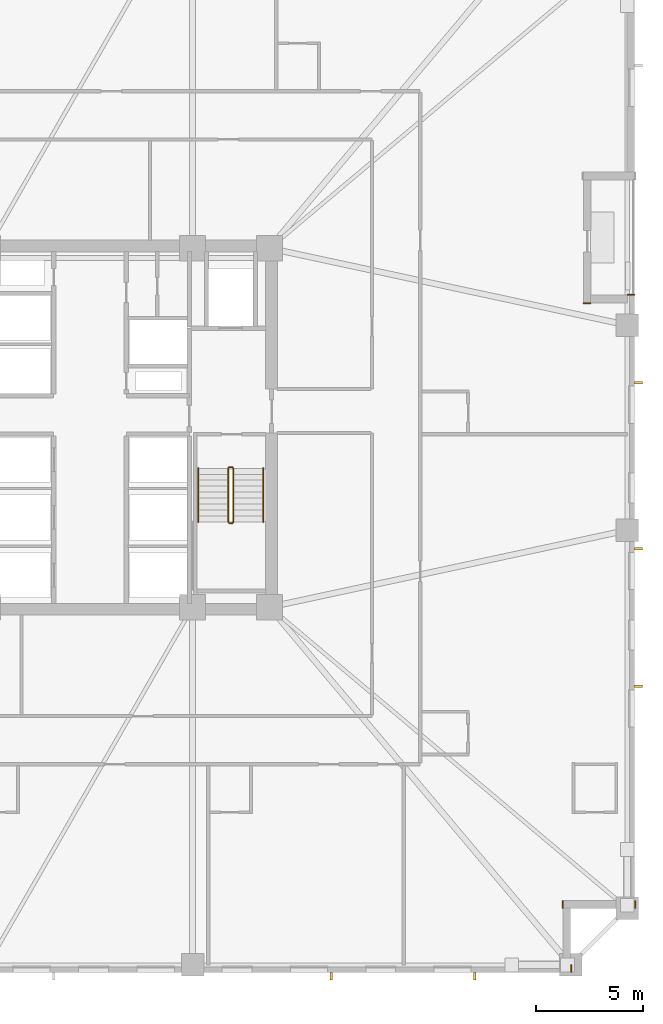
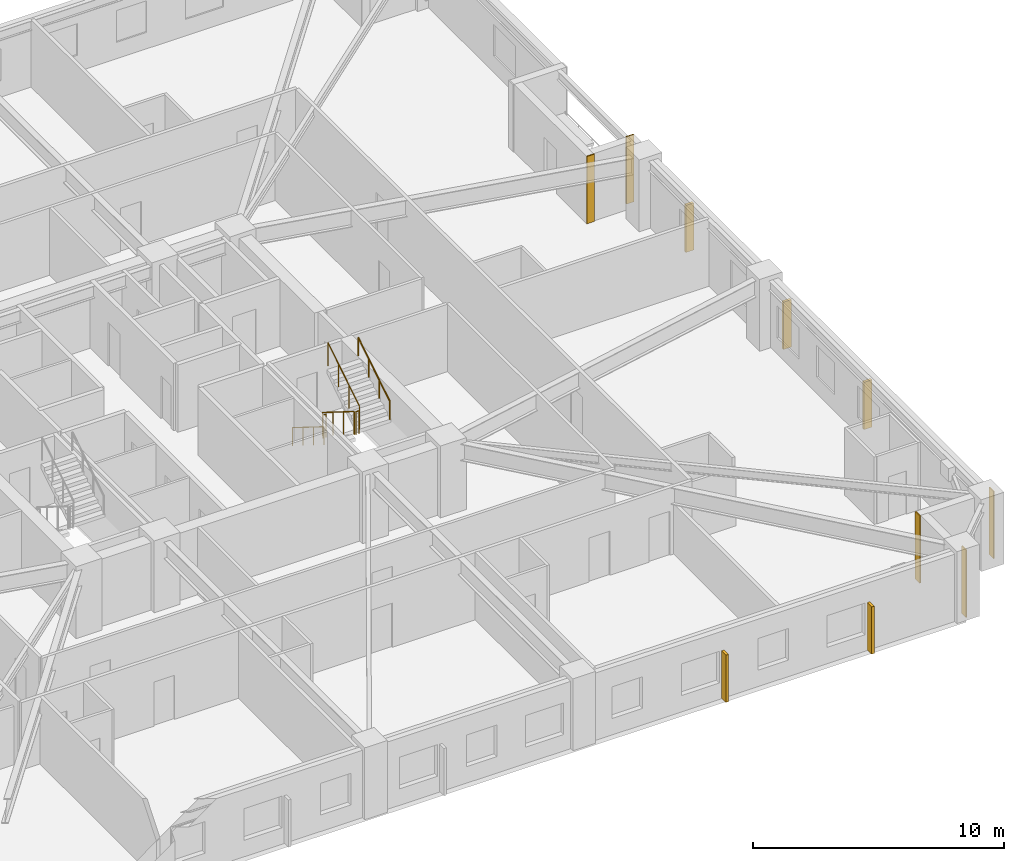
# One storey, part 9 of 11: 6 railings, 5 coverings, 5 shading devices.
"""IFC4 building model written with IfcOpenShell, lengths in metres."""

from ifc_helpers import new_model, si_unit, direction, frame, frame_2d, origin, origin_2d, place, context, subcontext, project, spatial, rectangle, circle, extrude, material, layer, layer_set, type_object, element, save


model = new_model("IFC4")

# Units and contexts
model_context = context("Model", 3, precision=1e-05, world=origin(), true_north=direction((0.0, 1.0)))
body_context = subcontext(model_context, "Body", "Model", "MODEL_VIEW")
ifc_project = project(units=[si_unit("LENGTHUNIT", "METRE"), si_unit("AREAUNIT", "SQUARE_METRE"), si_unit("VOLUMEUNIT", "CUBIC_METRE"), si_unit("PLANEANGLEUNIT", "RADIAN"), si_unit("MASSUNIT", "GRAM", prefix="KILO")], contexts=[model_context])

# Site, building, storey
site_placement = place(None, origin())
site = spatial("IfcSite", under=ifc_project, at=site_placement, CompositionType="ELEMENT")
building_placement = place(site_placement, origin())
building = spatial("IfcBuilding", under=site, at=building_placement, Name="Cairnveth Concourse Tower", CompositionType="ELEMENT")
storey_placement = place(building_placement, frame((0.0, 0.0, 79.5)))
storey = spatial("IfcBuildingStorey", under=building, at=storey_placement, Name="L21", CompositionType="ELEMENT", Elevation=79.5)

# Coverings
ifc_material_1 = material(Name="Dressed Melbourne Bluestone Cladding", Category="masonry")
ifc_layer = layer(ifc_material_1, 0.050048828125)
ifc_layer_set = layer_set([ifc_layer], Name="Dressed Melbourne Bluestone Cladding")
covering_type = type_object("IfcCoveringType", Name="DRESSED BLUESTONE PLINTH CLADDING 50", PredefinedType="CLADDING", material=ifc_layer_set)
for number, where, z_axis, x_axis, name in (
    (1, (77.139892578125, 45.219970703125, 0.0), (0.0, 0.0, 1.0), (1.0, 0.0, 0.0), "Melbourne Bluestone Corner Quoin L21-279"),
    (2, (77.52001953125, 16.860107421875, 0.0), (0.0, 0.0, 1.0), (0.0, -1.0, 0.0), "Melbourne Bluestone Corner Quoin L21-280"),
    (3, (74.1201171875, 16.860107421875, 0.0), (0.0, 0.0, 1.0), (0.0, -1.0, 0.0), "Melbourne Bluestone Corner Quoin L21-281"),
    (4, (74.52001953125, 13.860107421875, 0.0), (0.0, 0.0, 1.0), (0.0, -1.0, 0.0), "Melbourne Bluestone Corner Quoin L21-282"),
):
    element("IfcCovering", number, at=place(storey_placement, frame(where, z_axis=z_axis, x_axis=x_axis)), inside=storey, type_object=covering_type, Name=name, PredefinedType="CLADDING", context=body_context, shape_type="SweptSolid", body=[
        extrude(rectangle(XDim=0.360107421875, YDim=0.050048828125, at=frame_2d((0.18017578125, 0.0))), origin(), (0.0, 0.0, 1.0), 3.280029296875),
    ])
covering_placement = place(storey_placement, frame((75.090087890625, 44.820068359375, 0.0), z_axis=(0.0, 0.0, 1.0), x_axis=(1.0, 0.0, 0.0)))
element("IfcCovering", 5, at=covering_placement, inside=storey, type_object=covering_type, Name="Melbourne Bluestone Corner Quoin L21-294", PredefinedType="CLADDING", context=body_context, shape_type="SweptSolid", body=[
    extrude(rectangle(XDim=0.35986328125, YDim=0.050048828125, at=frame_2d((0.179931640625, 0.0))), origin(), (0.0, 0.0, 1.0), 3.280029296875),
])

# Shading devices
ifc_material_2 = material(Name="Architectural Bronze Anodised Aluminium 6063-T6", Category="aluminium")
shading_device_type = type_object("IfcShadingDeviceType", Name="GOTHIC BRONZE VERTICAL LANCET FIN", PredefinedType="USERDEFINED", material=ifc_material_2)
for number, where, z_axis, x_axis, name in (
    (6, (77.675048828125, 41.11328125, 0.02978515625), (0.0, 0.0, 1.0), (0.0, 1.0, 0.0), "Gothic Bronze Vertical Fin L21-0-1"),
    (7, (77.675048828125, 33.32568359375, 0.02978515625), (0.0, 0.0, 1.0), (0.0, 1.0, 0.0), "Gothic Bronze Vertical Fin L21-0-3"),
    (8, (77.675048828125, 26.888427734375, 0.02978515625), (0.0, 0.0, 1.0), (0.0, 1.0, 0.0), "Gothic Bronze Vertical Fin L21-0-5"),
    (9, (70.0048828125, 13.324951171875, 0.02978515625), (0.0, 0.0, 1.0), (1.0, 0.0, 0.0), "Gothic Bronze Vertical Fin L21-3-1"),
    (10, (63.284423828125, 13.324951171875, 0.02978515625), (0.0, 0.0, 1.0), (1.0, 0.0, 0.0), "Gothic Bronze Vertical Fin L21-3-3"),
):
    element("IfcShadingDevice", number, at=place(storey_placement, frame(where, z_axis=z_axis, x_axis=x_axis)), inside=storey, type_object=shading_device_type, Name=name, ObjectType="VERTICAL FIN", PredefinedType="USERDEFINED", context=body_context, shape_type="SweptSolid", body=[
        extrude(rectangle(XDim=0.1201171875, YDim=0.360107421875, at=origin_2d()), origin(), (0.0, 0.0, 1.0), 2.303955078125),
    ])

# Railings
ifc_material_3 = material(Name="Steel Grade 350", Category="steel")
railing_type_1 = type_object("IfcRailingType", Name="STAIR GUARDRAIL 1150", PredefinedType="GUARDRAIL", material=ifc_material_3)
railing_1_placement = place(storey_placement, frame((58.469970703125, 37.10009765625, 0.175048828125)))
element("IfcRailing", 11, at=railing_1_placement, inside=storey, type_object=railing_type_1, Name="L21 ST-2 stair guard 1", PredefinedType="GUARDRAIL", context=body_context, shape_type="SweptSolid", body=[
    extrude(circle(Radius=0.02392578125, at=origin_2d()), frame((0.0, 0.0, 1.1259765625), z_axis=(0.0, -0.848007534815, 0.529984170421), x_axis=(1.0, 0.0, 0.0)), (0.0, 0.0, 1.0), 2.9716796875),
    extrude(circle(Radius=0.02099609375, at=origin_2d()), origin(), (0.0, 0.0, 1.0), 1.101806640625),
    extrude(circle(Radius=0.02099609375, at=origin_2d()), frame((0.0, -0.840087890625, 0.52490234375)), (0.0, 0.0, 1.0), 1.101806640625),
    extrude(circle(Radius=0.02099609375, at=origin_2d()), frame((0.0, -1.679931640625, 1.050048828125)), (0.0, 0.0, 1.0), 1.101806640625),
    extrude(circle(Radius=0.02099609375, at=origin_2d()), frame((0.0, -2.52001953125, 1.574951171875)), (0.0, 0.0, 1.0), 1.101806640625),
])
railing_2_placement = place(storey_placement, frame((58.52001953125, 34.530029296875, 1.75)))
element("IfcRailing", 12, at=railing_2_placement, inside=storey, type_object=railing_type_1, Name="L21 ST-2 stair guard 2", PredefinedType="GUARDRAIL", context=body_context, shape_type="SweptSolid", body=[
    extrude(circle(Radius=0.02392578125, at=origin_2d()), frame((0.0, 0.0, 1.1259765625), z_axis=(1.0, 0.0, 0.0), x_axis=(0.0, 1.0, 0.0)), (0.0, 0.0, 1.0), 0.139892578125),
    extrude(circle(Radius=0.02099609375, at=origin_2d()), origin(), (0.0, 0.0, 1.0), 1.101806640625),
    extrude(circle(Radius=0.02099609375, at=origin_2d()), frame((0.139892578125, 0.0, 0.0)), (0.0, 0.0, 1.0), 1.101806640625),
])
railing_3_placement = place(storey_placement, frame((58.7099609375, 34.580078125, 1.925048828125)))
element("IfcRailing", 13, at=railing_3_placement, inside=storey, type_object=railing_type_1, Name="L21 ST-2 stair guard 3", PredefinedType="GUARDRAIL", context=body_context, shape_type="SweptSolid", body=[
    extrude(circle(Radius=0.02392578125, at=origin_2d()), frame((0.0, 0.0, 1.1259765625), z_axis=(0.0, 0.848007534815, 0.529984170421), x_axis=(-1.0, 0.0, 0.0)), (0.0, 0.0, 1.0), 2.9716796875),
    extrude(circle(Radius=0.02099609375, at=origin_2d()), origin(), (0.0, 0.0, 1.0), 1.101806640625),
    extrude(circle(Radius=0.02099609375, at=origin_2d()), frame((0.0, 0.840087890625, 0.52490234375)), (0.0, 0.0, 1.0), 1.101806640625),
    extrude(circle(Radius=0.02099609375, at=origin_2d()), frame((0.0, 1.679931640625, 1.050048828125)), (0.0, 0.0, 1.0), 1.101806640625),
    extrude(circle(Radius=0.02099609375, at=origin_2d()), frame((0.0, 2.52001953125, 1.574951171875)), (0.0, 0.0, 1.0), 1.101806640625),
])
railing_4_placement = place(storey_placement, frame((58.52001953125, 37.14990234375, 0.0)))
element("IfcRailing", 14, at=railing_4_placement, inside=storey, type_object=railing_type_1, Name="L21 ST-2 stair guard 4", PredefinedType="GUARDRAIL", context=body_context, shape_type="SweptSolid", body=[
    extrude(circle(Radius=0.02392578125, at=origin_2d()), frame((0.0, 0.0, 1.1259765625), z_axis=(1.0, 0.0, 0.0), x_axis=(0.0, 1.0, 0.0)), (0.0, 0.0, 1.0), 0.139892578125),
    extrude(circle(Radius=0.02099609375, at=origin_2d()), origin(), (0.0, 0.0, 1.0), 1.101806640625),
    extrude(circle(Radius=0.02099609375, at=origin_2d()), frame((0.139892578125, 0.0, 0.0)), (0.0, 0.0, 1.0), 1.101806640625),
])
railing_type_2 = type_object("IfcRailingType", Name="STAIR WALL HANDRAIL 900", PredefinedType="HANDRAIL", material=ifc_material_3)
railing_5_placement = place(storey_placement, frame((57.070068359375, 37.10009765625, 0.175048828125)))
element("IfcRailing", 15, at=railing_5_placement, inside=storey, type_object=railing_type_2, Name="L21 ST-2 stair handrail 1", PredefinedType="HANDRAIL", context=body_context, shape_type="SweptSolid", body=[
    extrude(circle(Radius=0.02392578125, at=origin_2d()), frame((0.0, 0.0, 0.8759765625), z_axis=(0.0, -0.848007534815, 0.529984170421), x_axis=(1.0, 0.0, 0.0)), (0.0, 0.0, 1.0), 2.9716796875),
    extrude(circle(Radius=0.02099609375, at=origin_2d()), origin(), (0.0, 0.0, 1.0), 0.851806640625),
    extrude(circle(Radius=0.02099609375, at=origin_2d()), frame((0.0, -0.840087890625, 0.52490234375)), (0.0, 0.0, 1.0), 0.851806640625),
    extrude(circle(Radius=0.02099609375, at=origin_2d()), frame((0.0, -1.679931640625, 1.050048828125)), (0.0, 0.0, 1.0), 0.851806640625),
    extrude(circle(Radius=0.02099609375, at=origin_2d()), frame((0.0, -2.52001953125, 1.574951171875)), (0.0, 0.0, 1.0), 0.851806640625),
])
railing_6_placement = place(storey_placement, frame((60.110107421875, 34.580078125, 1.925048828125)))
element("IfcRailing", 16, at=railing_6_placement, inside=storey, type_object=railing_type_2, Name="L21 ST-2 stair handrail 2", PredefinedType="HANDRAIL", context=body_context, shape_type="SweptSolid", body=[
    extrude(circle(Radius=0.02392578125, at=origin_2d()), frame((0.0, 0.0, 0.8759765625), z_axis=(0.0, 0.848007534815, 0.529984170421), x_axis=(-1.0, 0.0, 0.0)), (0.0, 0.0, 1.0), 2.9716796875),
    extrude(circle(Radius=0.02099609375, at=origin_2d()), origin(), (0.0, 0.0, 1.0), 0.851806640625),
    extrude(circle(Radius=0.02099609375, at=origin_2d()), frame((0.0, 0.840087890625, 0.52490234375)), (0.0, 0.0, 1.0), 0.851806640625),
    extrude(circle(Radius=0.02099609375, at=origin_2d()), frame((0.0, 1.679931640625, 1.050048828125)), (0.0, 0.0, 1.0), 0.851806640625),
    extrude(circle(Radius=0.02099609375, at=origin_2d()), frame((0.0, 2.52001953125, 1.574951171875)), (0.0, 0.0, 1.0), 0.851806640625),
])

save(model, "model.ifc")
